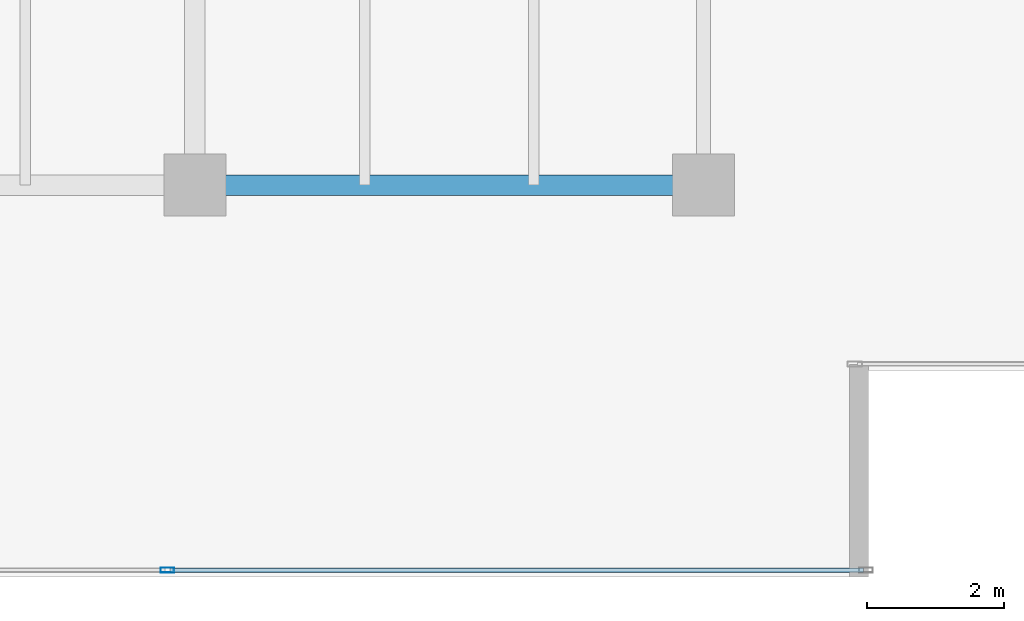
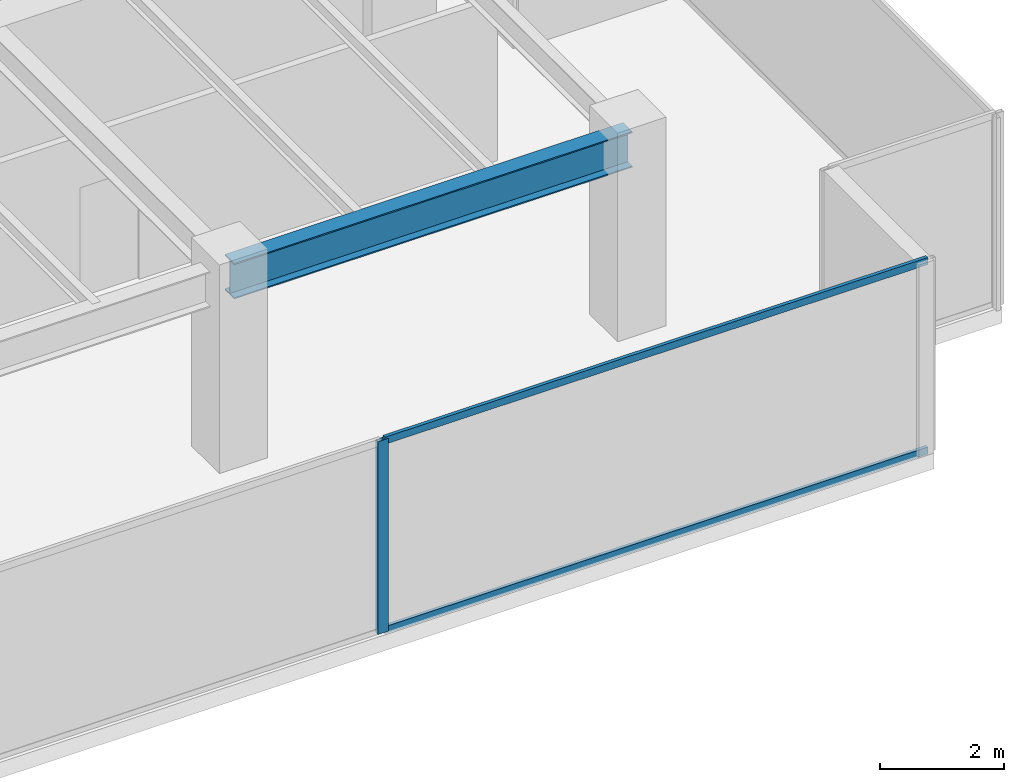
# One storey, part 12 of 31: 3 members, 1 beam, 1 element without a shape of its own.
"""IFC4 building model written with IfcOpenShell, lengths in metres."""

from ifc_helpers import new_model, si_unit, direction, frame, origin, origin_2d, place, context, subcontext, project, spatial, hollow_rectangle, i_section, extrude, source, transform, mapped, material, layer, layer_set, material_profile, profile_set, type_object, type_shapes, element, aggregate, save


model = new_model("IFC4")

# Units and contexts
model_context = context("Model", 3, precision=1e-05, world=origin(), true_north=direction((0.0, 1.0)))
body_context = subcontext(model_context, "Body", "Model", "MODEL_VIEW")
ifc_project = project(units=[si_unit("LENGTHUNIT", "METRE"), si_unit("AREAUNIT", "SQUARE_METRE"), si_unit("VOLUMEUNIT", "CUBIC_METRE"), si_unit("PLANEANGLEUNIT", "RADIAN"), si_unit("MASSUNIT", "GRAM", prefix="KILO")], contexts=[model_context])

# Site, building, storey
site_placement = place(None, origin())
site = spatial("IfcSite", under=ifc_project, at=site_placement, CompositionType="ELEMENT")
building_placement = place(site_placement, origin())
building = spatial("IfcBuilding", under=site, at=building_placement, Name="Haelvirn Gate Laboratories", CompositionType="ELEMENT")
storey_placement = place(building_placement, frame((0.0, 0.0, 174.800048828125)))
storey = spatial("IfcBuildingStorey", under=building, at=storey_placement, Name="L42", CompositionType="ELEMENT", Elevation=174.800048828125)

# Beam
ifc_material_1 = material(Name="Steel SM355", Category="steel")
ifc_material_profile_1 = material_profile(ifc_material_1, i_section(OverallWidth=0.300048828125, OverallDepth=0.699951171875, WebThickness=0.012939453125, FlangeThickness=0.02392578125, at=origin_2d()), Name="H-700x300x13x24")
ifc_profile_set_1 = profile_set([ifc_material_profile_1], Name="Steel SM355")
beam_type = type_object("IfcBeamType", Name="BM-G-700", PredefinedType="BEAM", material=ifc_profile_set_1)
shared_shape_1 = source(origin(), body_context, "Body", "SweptSolid", [
    extrude(i_section(OverallWidth=0.300048828125, OverallDepth=0.699951171875, WebThickness=0.012939453125, FlangeThickness=0.02392578125, at=origin_2d()), origin(), (0.0, 0.0, 1.0), 7.39990234375),
])
type_shapes(beam_type, [shared_shape_1])
beam_placement = place(storey_placement, frame((60.0, 7.0, 3.43994140625), z_axis=(1.0, 0.0, 0.0), x_axis=(0.0, 1.0, 0.0)))
element("IfcBeam", 1, at=beam_placement, inside=storey, type_object=beam_type, Name="L42 Primary Girder Y7.0 (60.0-67.4)", PredefinedType="BEAM", context=body_context, shape_type="MappedRepresentation", body=[
    mapped(shared_shape_1, transform((0.0, 0.0, 0.0), scale=1.0)),
])

# Curtain wall, members
ifc_material_2 = material(Name="Anodised bronze unitised aluminium & triple low-E glass", Category="aluminium")
ifc_layer = layer(ifc_material_2, 0.179931640625, Name="CW-SYS-3")
ifc_layer_set = layer_set([ifc_layer], Name="Anodised bronze unitised aluminium & triple low-E glass")
curtain_wall_type = type_object("IfcCurtainWallType", Name="CW-SYS-3", PredefinedType="NOTDEFINED", material=ifc_layer_set)
curtain_wall_placement = place(storey_placement, origin())
curtain_wall = element("IfcCurtainWall", 2, at=curtain_wall_placement, inside=storey, type_object=curtain_wall_type, Name="L42 Unitised Curtain Wall CW-L42-P0-E04-1", PredefinedType="NOTDEFINED")
ifc_material_3 = material(Name="Extruded aluminium 6063-T6 (anodised bronze)", Category="aluminium")
ifc_material_profile_2 = material_profile(ifc_material_3, hollow_rectangle(XDim=0.06494140625, YDim=0.139892578125, WallThickness=0.00390625, at=origin_2d()), Name="CWT-140x65x4")
ifc_profile_set_2 = profile_set([ifc_material_profile_2], Name="Extruded aluminium 6063-T6 (anodised bronze)")
member_type_1 = type_object("IfcMemberType", Name="CWT-T140", PredefinedType="USERDEFINED", material=ifc_profile_set_2)
shared_shape_2 = source(origin(), body_context, "Body", "SweptSolid", [
    extrude(hollow_rectangle(XDim=0.06494140625, YDim=0.139892578125, WallThickness=0.00390625, at=origin_2d()), origin(), (0.0, 0.0, 1.0), 10.087646484375),
])
type_shapes(member_type_1, [shared_shape_2])
member_1_placement = place(storey_placement, frame((59.637451171875, 1.39990234375, 0.032470703125), z_axis=(1.0, 0.0, 0.0), x_axis=(0.0, 1.0, 0.0)))
member_1 = element("IfcMember", 3, at=member_1_placement, type_object=member_type_1, Name="CW3 transom 2.1", ObjectType="TRANSOM", PredefinedType="USERDEFINED", context=body_context, shape_type="MappedRepresentation", body=[
    mapped(shared_shape_2, transform((0.0, 0.0, 0.0), scale=1.0)),
])
member_2_placement = place(storey_placement, frame((59.637451171875, 1.39990234375, 3.757568359375), z_axis=(1.0, 0.0, 0.0), x_axis=(0.0, 1.0, 0.0)))
member_2 = element("IfcMember", 4, at=member_2_placement, type_object=member_type_1, Name="CW3 transom 2.2", ObjectType="TRANSOM", PredefinedType="USERDEFINED", context=body_context, shape_type="MappedRepresentation", body=[
    mapped(shared_shape_2, transform((0.0, 0.0, 0.0), scale=1.0)),
])
ifc_material_profile_3 = material_profile(ifc_material_3, hollow_rectangle(XDim=0.074951171875, YDim=0.199951171875, WallThickness=0.0048828125, at=origin_2d()), Name="CWM-200x75x5")
ifc_profile_set_3 = profile_set([ifc_material_profile_3], Name="Extruded aluminium 6063-T6 (anodised bronze)")
member_type_2 = type_object("IfcMemberType", Name="CWM-T200", PredefinedType="MULLION", material=ifc_profile_set_3)
shared_shape_3 = source(origin(), body_context, "Body", "SweptSolid", [
    extrude(hollow_rectangle(XDim=0.074951171875, YDim=0.199951171875, WallThickness=0.0048828125, at=origin_2d()), origin(), (0.0, 0.0, 1.0), 3.7900390625),
])
type_shapes(member_type_2, [shared_shape_3])
member_3_placement = place(storey_placement, frame((59.60009765625, 1.39990234375, 0.0), z_axis=(0.0, 0.0, 1.0), x_axis=(0.0, 1.0, 0.0)))
member_3 = element("IfcMember", 5, at=member_3_placement, type_object=member_type_2, Name="CW3 mullion 2", PredefinedType="MULLION", context=body_context, shape_type="MappedRepresentation", body=[
    mapped(shared_shape_3, transform((0.0, 0.0, 0.0), scale=1.0)),
])
aggregate(curtain_wall, [member_3, member_1, member_2])

save(model, "model.ifc")
